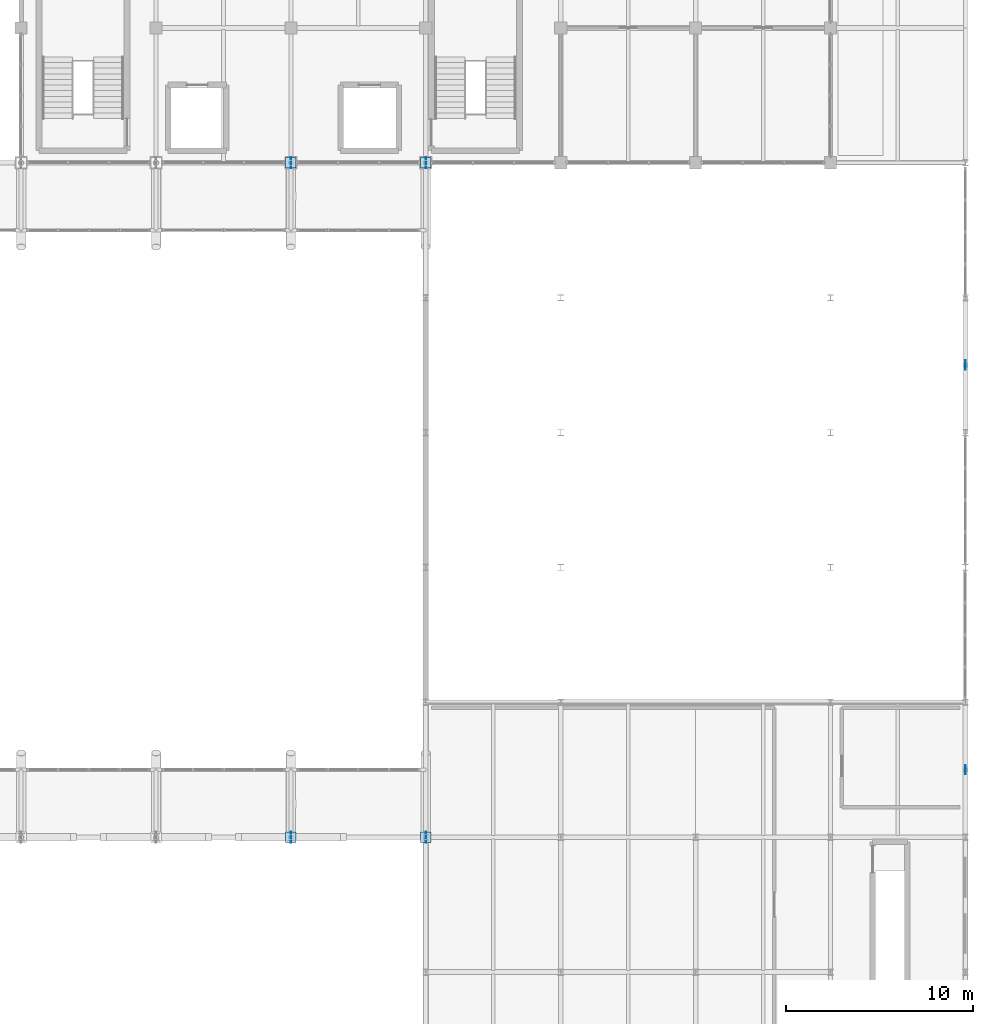
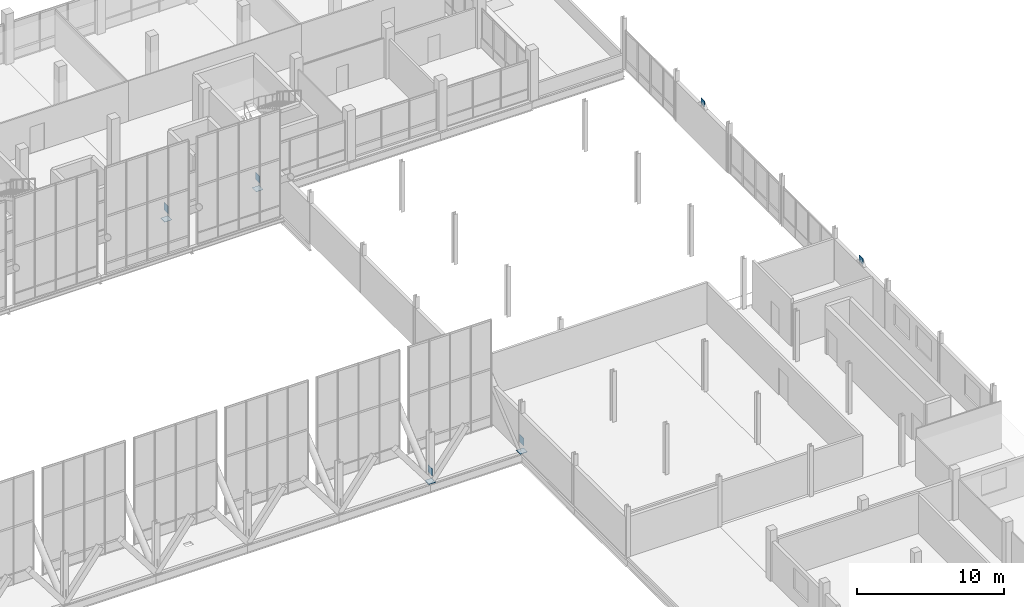
# One storey, part 90 of 102: 10 plates.
"""IFC4 building model written with IfcOpenShell, lengths in metres."""

from ifc_helpers import new_model, si_unit, direction, frame, origin, origin_2d, place, context, subcontext, project, spatial, rectangle, extrude, material, layer, layer_set, type_object, element, save


model = new_model("IFC4")

# Units and contexts
model_context = context("Model", 3, precision=1e-05, world=origin(), true_north=direction((0.0, 1.0)))
body_context = subcontext(model_context, "Body", "Model", "MODEL_VIEW")
ifc_project = project(units=[si_unit("LENGTHUNIT", "METRE"), si_unit("AREAUNIT", "SQUARE_METRE"), si_unit("VOLUMEUNIT", "CUBIC_METRE"), si_unit("PLANEANGLEUNIT", "RADIAN"), si_unit("MASSUNIT", "GRAM", prefix="KILO")], contexts=[model_context])

# Site, building, storey
site_placement = place(None, origin())
site = spatial("IfcSite", under=ifc_project, at=site_placement, CompositionType="ELEMENT")
building_placement = place(site_placement, origin())
building = spatial("IfcBuilding", under=site, at=building_placement, Name="Yarey Park Central Fire Station", CompositionType="ELEMENT")
storey_placement = place(building_placement, frame((0.0, 0.0, 6.0)))
storey = spatial("IfcBuildingStorey", under=building, at=storey_placement, Name="L02", CompositionType="ELEMENT", Elevation=6.0)

# Plates
ifc_material = material(Name="Steel ASTM A572 Gr. 50", Category="steel")
ifc_layer_1 = layer(ifc_material, 0.02001953125)
ifc_layer_set_1 = layer_set([ifc_layer_1], Name="Steel ASTM A572 Gr. 50")
plate_type_1 = type_object("IfcPlateType", Name="STR_PLT_CAP1", PredefinedType="USERDEFINED", material=ifc_layer_set_1)
for number, where, z_axis, x_axis, name in (
    (1, (129.60009765625, 57.60009765625, -0.010009765625), (0.0, 0.0, 1.0), (1.0, 0.0, 0.0), "CAP_PLT_ART_094"),
    (2, (129.60009765625, 93.60009765625, -0.010009765625), (0.0, 0.0, 1.0), (1.0, 0.0, 0.0), "CAP_PLT_ART_097"),
    (3, (136.800048828125, 57.60009765625, -0.010009765625), (0.0, 0.0, 1.0), (1.0, 0.0, 0.0), "CAP_PLT_ART_099"),
    (4, (136.800048828125, 93.60009765625, -0.010009765625), (0.0, 0.0, 1.0), (1.0, 0.0, 0.0), "CAP_PLT_ART_102"),
):
    element("IfcPlate", number, at=place(storey_placement, frame(where, z_axis=z_axis, x_axis=x_axis)), inside=storey, type_object=plate_type_1, Name=name, ObjectType="GUSSET_PLATE", PredefinedType="USERDEFINED", context=body_context, shape_type="SweptSolid", body=[
        extrude(rectangle(XDim=0.56005859375, YDim=0.56005859375, at=origin_2d()), origin(), (0.0, 0.0, 1.0), 0.02001953125),
    ])
ifc_layer_2 = layer(ifc_material, 0.030029296875)
ifc_layer_set_2 = layer_set([ifc_layer_2], Name="Steel ASTM A572 Gr. 50")
plate_type_2 = type_object("IfcPlateType", Name="STR_PLT_NODE1", PredefinedType="USERDEFINED", material=ifc_layer_set_2)
for number, where, z_axis, x_axis, name in (
    (5, (129.60009765625, 57.60009765625, 0.619873046875), (0.0, 0.0, 1.0), (1.0, 0.0, 0.0), "NODE_PLT_ART_093"),
    (6, (129.60009765625, 93.60009765625, 0.619873046875), (0.0, 0.0, 1.0), (1.0, 0.0, 0.0), "NODE_PLT_ART_096"),
    (7, (136.800048828125, 57.60009765625, 0.619873046875), (0.0, 0.0, 1.0), (1.0, 0.0, 0.0), "NODE_PLT_ART_098"),
    (8, (136.800048828125, 93.60009765625, 0.619873046875), (0.0, 0.0, 1.0), (1.0, 0.0, 0.0), "NODE_PLT_ART_101"),
):
    element("IfcPlate", number, at=place(storey_placement, frame(where, z_axis=z_axis, x_axis=x_axis)), inside=storey, type_object=plate_type_2, Name=name, ObjectType="GUSSET_PLATE", PredefinedType="USERDEFINED", context=body_context, shape_type="SweptSolid", body=[
        extrude(rectangle(XDim=0.030029296875, YDim=0.60009765625, at=origin_2d()), origin(), (0.0, 0.0, 1.0), 0.60009765625),
    ])
ifc_layer_3 = layer(ifc_material, 0.0419921875)
ifc_layer_set_3 = layer_set([ifc_layer_3], Name="Steel ASTM A572 Gr. 50")
plate_type_3 = type_object("IfcPlateType", Name="STR_PLT_NODE2", PredefinedType="USERDEFINED", material=ifc_layer_set_3)
for number, where, z_axis, x_axis, name in (
    (9, (165.60009765625, 61.199951171875, 3.39990234375), (0.0, 0.0, 1.0), (1.0, 0.0, 0.0), "NODE_PLT_V5_L02_57"),
    (10, (165.60009765625, 82.800048828125, 3.39990234375), (0.0, 0.0, 1.0), (1.0, 0.0, 0.0), "NODE_PLT_V5_L02_79"),
):
    element("IfcPlate", number, at=place(storey_placement, frame(where, z_axis=z_axis, x_axis=x_axis)), inside=storey, type_object=plate_type_3, Name=name, ObjectType="GUSSET_PLATE", PredefinedType="USERDEFINED", context=body_context, shape_type="SweptSolid", body=[
        extrude(rectangle(XDim=0.0419921875, YDim=0.5, at=origin_2d()), origin(), (0.0, 0.0, 1.0), 0.5),
    ])

save(model, "model.ifc")
